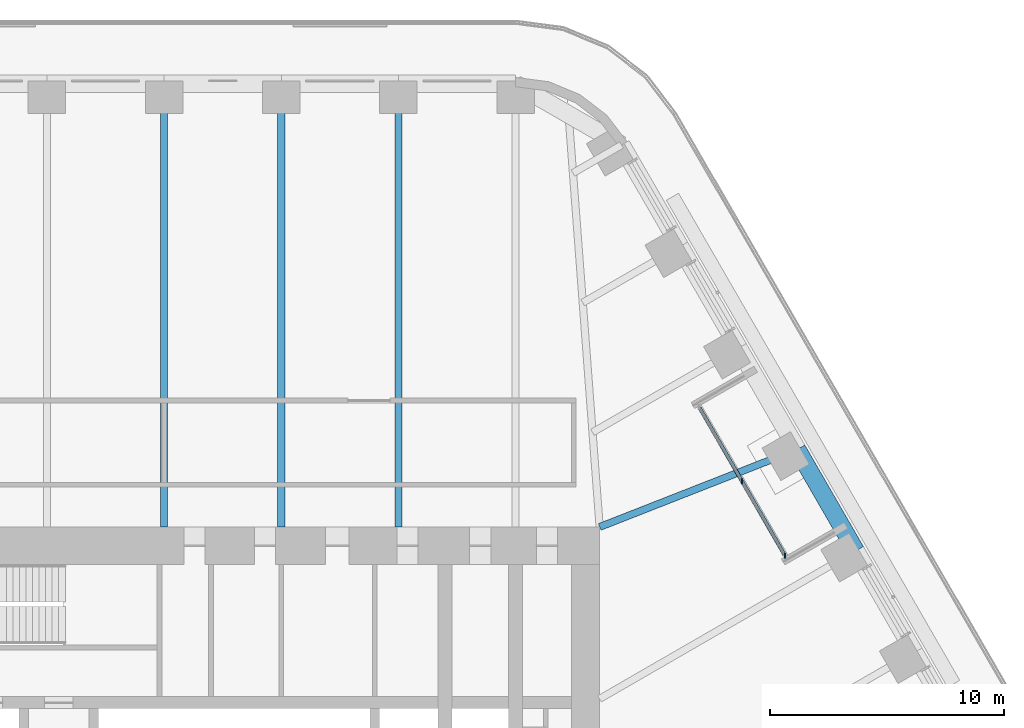
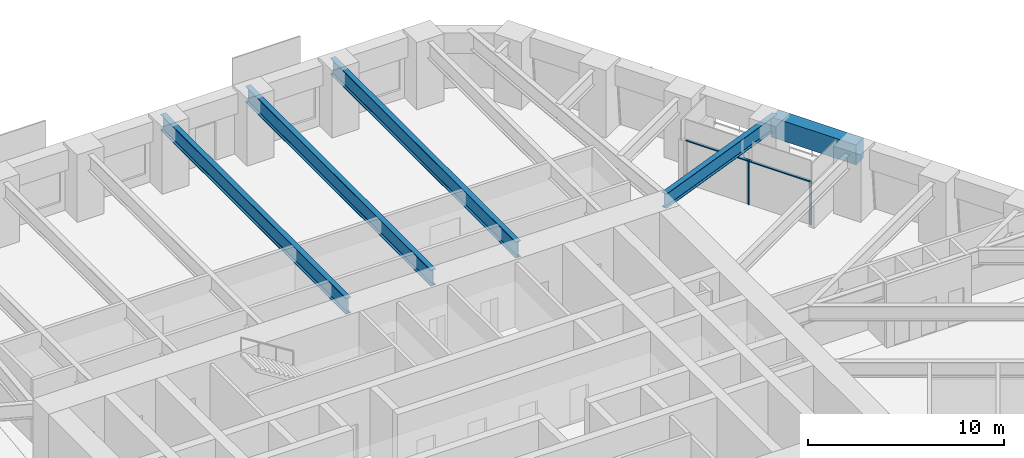
# One storey, part 11 of 24: 5 beams, 3 members, 1 element without a shape of its own.
"""IFC4 building model written with IfcOpenShell, lengths in metres."""

from ifc_helpers import new_model, si_unit, direction, frame, origin, origin_2d, place, context, subcontext, project, spatial, rectangle, i_section, extrude, material, material_profile, profile_set, type_object, element, aggregate, save


model = new_model("IFC4")

# Units and contexts
model_context = context("Model", 3, precision=1e-05, world=origin(), true_north=direction((0.0, 1.0)))
body_context = subcontext(model_context, "Body", "Model", "MODEL_VIEW")
ifc_project = project(units=[si_unit("LENGTHUNIT", "METRE"), si_unit("AREAUNIT", "SQUARE_METRE"), si_unit("VOLUMEUNIT", "CUBIC_METRE"), si_unit("PLANEANGLEUNIT", "RADIAN"), si_unit("MASSUNIT", "GRAM", prefix="KILO")], contexts=[model_context])

# Site, building, storey
site_placement = place(None, origin())
site = spatial("IfcSite", under=ifc_project, at=site_placement, CompositionType="ELEMENT")
building_placement = place(site_placement, origin())
building = spatial("IfcBuilding", under=site, at=building_placement, Name="Tarfa Lantern Tower", CompositionType="ELEMENT")
storey_placement = place(building_placement, frame((0.0, 0.0, 169.89990234375)))
storey = spatial("IfcBuildingStorey", under=building, at=storey_placement, Name="L38", CompositionType="ELEMENT", Elevation=169.89990234375)

# Curtain wall, members
ifc_material_1 = material(Name="Aluminium framed curtain wall", Category="aluminium")
curtain_wall_type = type_object("IfcCurtainWallType", Name="CW10 LOGGIA GLAZING 2750", PredefinedType="USERDEFINED", material=ifc_material_1)
curtain_wall_placement = place(storey_placement, origin())
curtain_wall = element("IfcCurtainWall", 1, at=curtain_wall_placement, inside=storey, type_object=curtain_wall_type, Name="CW10 NEL L38", ObjectType="CURTAIN WALL", PredefinedType="USERDEFINED")
ifc_material_2 = material(Name="Aluminium mullion", Category="aluminium")
ifc_material_profile_1 = material_profile(ifc_material_2, rectangle(XDim=0.06494140625, YDim=0.199951171875, at=origin_2d()), Name="AL MULLION 65x200")
ifc_profile_set_1 = profile_set([ifc_material_profile_1], Name="Aluminium mullion")
member_type_1 = type_object("IfcMemberType", Name="CWM1 MULLION 65x200", PredefinedType="MULLION", material=ifc_profile_set_1)
member_1_placement = place(storey_placement, frame((26.517333984375, 11.070556640625, 0.0), z_axis=(0.0, 0.0, 1.0), x_axis=(1.0, 0.0, 0.0)))
member_1 = element("IfcMember", 2, at=member_1_placement, type_object=member_type_1, Name="CW10 mullion 1", PredefinedType="MULLION", context=body_context, shape_type="SweptSolid", body=[
    extrude(rectangle(XDim=0.06494140625, YDim=0.199951171875, at=origin_2d()), origin(), (0.0, 0.0, 1.0), 2.75),
])
member_2_placement = place(storey_placement, frame((24.681640625, 14.25, 0.0), z_axis=(0.0, 0.0, 1.0), x_axis=(1.0, 0.0, 0.0)))
member_2 = element("IfcMember", 3, at=member_2_placement, type_object=member_type_1, Name="CW10 mullion 2", PredefinedType="MULLION", context=body_context, shape_type="SweptSolid", body=[
    extrude(rectangle(XDim=0.06494140625, YDim=0.199951171875, at=origin_2d()), origin(), (0.0, 0.0, 1.0), 2.75),
])
ifc_material_3 = material(Name="Aluminium transom", Category="aluminium")
ifc_material_profile_2 = material_profile(ifc_material_3, rectangle(XDim=0.14990234375, YDim=0.06494140625, at=origin_2d()), Name="AL TRANSOM 150x65")
ifc_profile_set_2 = profile_set([ifc_material_profile_2], Name="Aluminium transom")
member_type_2 = type_object("IfcMemberType", Name="CWT1 TRANSOM 150x65", PredefinedType="USERDEFINED", material=ifc_profile_set_2)
member_3_placement = place(storey_placement, frame((26.5009765625, 11.098876953125, 2.717529296875), z_axis=(-0.500007048974, 0.866021334019, 0.0), x_axis=(-0.866021334019, -0.500007048974, 0.0)))
member_3 = element("IfcMember", 4, at=member_3_placement, type_object=member_type_2, Name="CW10 transom 1.2", ObjectType="TRANSOM", PredefinedType="USERDEFINED", context=body_context, shape_type="SweptSolid", body=[
    extrude(rectangle(XDim=0.14990234375, YDim=0.06494140625, at=origin_2d()), origin(), (0.0, 0.0, 1.0), 7.27734375),
])
aggregate(curtain_wall, [member_1, member_2, member_3])

# Beams
ifc_material_4 = material(Name="Concrete C80/95", Category="concrete")
ifc_material_profile_3 = material_profile(ifc_material_4, rectangle(XDim=0.75, YDim=1.25, at=origin_2d()), Name="RC 750x1250")
ifc_profile_set_3 = profile_set([ifc_material_profile_3], Name="Concrete C80/95")
beam_type_1 = type_object("IfcBeamType", Name="EB2 RC 750x1250", PredefinedType="SPANDREL", material=ifc_profile_set_3)
beam_1_placement = place(storey_placement, frame((29.5390625, 11.276611328125, 3.375), z_axis=(-0.499964603504, 0.866045838996, 0.0), x_axis=(-0.866045838996, -0.499964603504, 0.0)))
element("IfcBeam", 5, at=beam_1_placement, inside=storey, type_object=beam_type_1, Name="Edge beam NE2", PredefinedType="SPANDREL", context=body_context, shape_type="SweptSolid", body=[
    extrude(rectangle(XDim=0.75, YDim=1.25, at=origin_2d()), origin(), (0.0, 0.0, 1.0), 5.003662109375),
])
ifc_material_5 = material(Name="Steel S460M", Category="steel")
ifc_material_profile_4 = material_profile(ifc_material_5, i_section(OverallWidth=0.302001953125, OverallDepth=1.008056640625, WebThickness=0.02099609375, FlangeThickness=0.0400390625, FilletRadius=0.030029296875, at=origin_2d()), Name="UB1016x305x349")
ifc_profile_set_4 = profile_set([ifc_material_profile_4], Name="Steel S460M")
beam_type_2 = type_object("IfcBeamType", Name="UB1016x305x349", PredefinedType="BEAM", material=ifc_profile_set_4)
for number, where, z_axis, x_axis, name in (
    (6, (10.00732421875, 31.219970703125, 3.49609375), (0.0, -1.0, 0.0), (1.0, 0.0, 0.0), "Floor beam N1"),
    (7, (5.003662109375, 31.219970703125, 3.49609375), (0.0, -1.0, 0.0), (1.0, 0.0, 0.0), "Floor beam N2"),
    (8, (0.0, 31.219970703125, 3.49609375), (0.0, -1.0, 0.0), (1.0, 0.0, 0.0), "Floor beam N3"),
):
    element("IfcBeam", number, at=place(storey_placement, frame(where, z_axis=z_axis, x_axis=x_axis)), inside=storey, type_object=beam_type_2, Name=name, PredefinedType="BEAM", context=body_context, shape_type="SweptSolid", body=[
        extrude(i_section(OverallWidth=0.302001953125, OverallDepth=1.008056640625, WebThickness=0.02099609375, FlangeThickness=0.0400390625, FilletRadius=0.030029296875, at=origin_2d()), origin(), (0.0, 0.0, 1.0), 18.919921875),
    ])
ifc_material_profile_5 = material_profile(ifc_material_5, i_section(OverallWidth=0.305419921875, OverallDepth=0.91845703125, WebThickness=0.017333984375, FlangeThickness=0.02783203125, FilletRadius=0.01904296875, at=origin_2d()), Name="UB914x305x253")
ifc_profile_set_5 = profile_set([ifc_material_profile_5], Name="Steel S460M")
beam_type_3 = type_object("IfcBeamType", Name="UB914x305x253", PredefinedType="BEAM", material=ifc_profile_set_5)
beam_2_placement = place(storey_placement, frame((27.037353515625, 15.610107421875, 3.541015625), z_axis=(-0.930923282782, -0.365214788274, 0.0), x_axis=(0.365214788274, -0.930923282782, 0.0)))
element("IfcBeam", 9, at=beam_2_placement, inside=storey, type_object=beam_type_3, Name="Floor beam NE3", PredefinedType="BEAM", context=body_context, shape_type="SweptSolid", body=[
    extrude(i_section(OverallWidth=0.305419921875, OverallDepth=0.91845703125, WebThickness=0.017333984375, FlangeThickness=0.02783203125, FilletRadius=0.01904296875, at=origin_2d()), origin(), (0.0, 0.0, 1.0), 9.063232421875),
])

save(model, "model.ifc")
